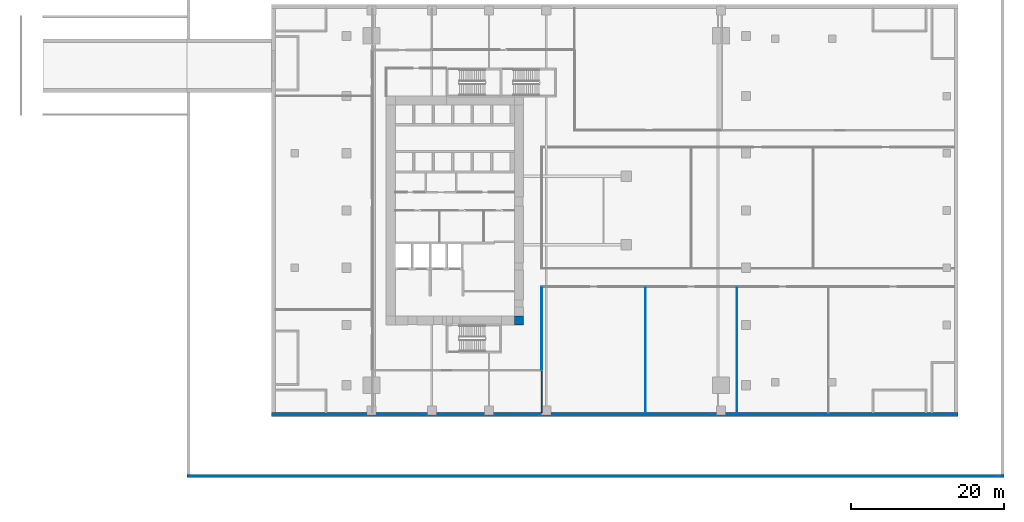
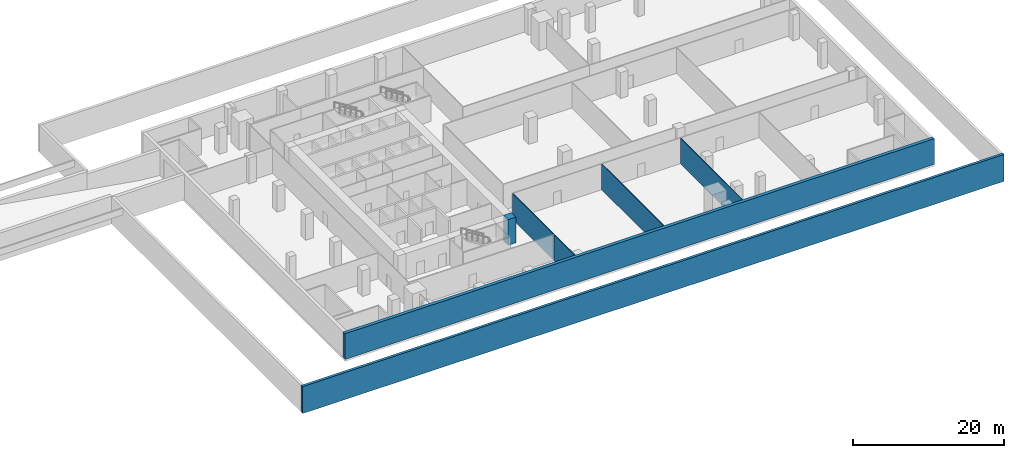
# One storey, part 6 of 11: 7 walls.
"""IFC4 building model written with IfcOpenShell, lengths in metres."""

from ifc_helpers import new_model, si_unit, direction, frame, frame_2d, origin, place, context, subcontext, project, spatial, rectangle, extrude, source, transform, mapped, material, layer, layer_set, type_object, element, save


model = new_model("IFC4")

# Units and contexts
model_context = context("Model", 3, precision=1e-05, world=origin(), true_north=direction((0.0, 1.0)))
body_context = subcontext(model_context, "Body", "Model", "MODEL_VIEW")
ifc_project = project(units=[si_unit("LENGTHUNIT", "METRE"), si_unit("AREAUNIT", "SQUARE_METRE"), si_unit("VOLUMEUNIT", "CUBIC_METRE"), si_unit("PLANEANGLEUNIT", "RADIAN"), si_unit("MASSUNIT", "GRAM", prefix="KILO")], contexts=[model_context])

# Site, building, storey
site_placement = place(None, origin())
site = spatial("IfcSite", under=ifc_project, at=site_placement, CompositionType="ELEMENT")
building_placement = place(site_placement, origin())
building = spatial("IfcBuilding", under=site, at=building_placement, Name="Khomas Fold Tower", CompositionType="ELEMENT")
storey_placement = place(building_placement, frame((0.0, 0.0, -4.5)))
storey = spatial("IfcBuildingStorey", under=building, at=storey_placement, Name="B1", CompositionType="ELEMENT", Elevation=-4.5)

# Walls
ifc_material_1 = material(Name="Concrete C70/85", Category="concrete")
ifc_layer_1 = layer(ifc_material_1, 1.199951171875)
ifc_layer_set_1 = layer_set([ifc_layer_1], Name="Concrete C70/85")
wall_type_1 = type_object("IfcWallType", Name="Core corner wall 1200", PredefinedType="SHEAR", material=ifc_layer_set_1)
shared_shape_1 = source(origin(), body_context, "Body", "SweptSolid", [
    extrude(rectangle(XDim=1.199951171875, YDim=1.199951171875, at=frame_2d((0.60009765625, 0.0))), origin(), (0.0, 0.0, 1.0), 4.14990234375),
])
wall_1_placement = place(storey_placement, frame((22.800048828125, 12.60009765625, 0.0), z_axis=(0.0, 0.0, 1.0), x_axis=(1.0, 0.0, 0.0)))
element("IfcWall", 1, at=wall_1_placement, inside=storey, type_object=wall_type_1, Name="Core wall CW-L-SE-B2", PredefinedType="SHEAR", context=body_context, shape_type="MappedRepresentation", body=[
    mapped(shared_shape_1, transform((0.0, 0.0, 0.0))),
])
ifc_material_2 = material(Name="Concrete C40/50", Category="concrete")
ifc_layer_2 = layer(ifc_material_2, 0.5)
ifc_layer_set_2 = layer_set([ifc_layer_2], Name="Concrete C40/50")
wall_type_2 = type_object("IfcWallType", Name="Basement wall 500", PredefinedType="STANDARD", material=ifc_layer_set_2)
shared_shape_2 = source(origin(), body_context, "Body", "SweptSolid", [
    extrude(rectangle(XDim=90.0, YDim=0.5, at=frame_2d((45.0, 0.0))), origin(), (0.0, 0.0, 1.0), 4.14990234375),
])
wall_2_placement = place(storey_placement, frame((-9.0, 0.25, 0.0), z_axis=(0.0, 0.0, 1.0), x_axis=(1.0, 0.0, 0.0)))
element("IfcWall", 2, at=wall_2_placement, inside=storey, type_object=wall_type_2, Name="Basement wall S", PredefinedType="STANDARD", context=body_context, shape_type="MappedRepresentation", body=[
    mapped(shared_shape_2, transform((0.0, 0.0, 0.0))),
])
ifc_material_3 = material(Name="Concrete C40/50", Category="concrete")
ifc_layer_3 = layer(ifc_material_3, 0.39990234375)
ifc_layer_set_3 = layer_set([ifc_layer_3], Name="Concrete C40/50")
wall_type_3 = type_object("IfcWallType", Name="Plaza retaining wall 400", PredefinedType="SOLIDWALL", material=ifc_layer_set_3)
shared_shape_3 = source(origin(), body_context, "Body", "SweptSolid", [
    extrude(rectangle(XDim=107.09814453125, YDim=0.39990234375, at=frame_2d((53.549072265625, 0.0))), origin(), (0.0, 0.0, 1.0), 4.35009765625),
])
wall_3_placement = place(storey_placement, frame((87.0, -7.800048828125, 0.0), z_axis=(0.0, 0.0, 1.0), x_axis=(-1.0, 0.0, 0.0)))
element("IfcWall", 3, at=wall_3_placement, inside=storey, type_object=wall_type_3, Name="Plaza retaining wall", PredefinedType="SOLIDWALL", context=body_context, shape_type="MappedRepresentation", body=[
    mapped(shared_shape_3, transform((0.0, 0.0, 0.0))),
])
ifc_material_4 = material(Name="Plasterboard fire partition")
ifc_layer_4 = layer(ifc_material_4, 0.14990234375)
ifc_layer_set_4 = layer_set([ifc_layer_4], Name="Plasterboard fire partition")
wall_type_4 = type_object("IfcWallType", Name="Plant room wall PW3 150", PredefinedType="PARTITIONING", material=ifc_layer_set_4)
shared_shape_4 = source(origin(), body_context, "Body", "SweptSolid", [
    extrude(rectangle(XDim=5.449951171875, YDim=0.14990234375, at=frame_2d((2.72509765625, 0.0))), origin(), (0.0, 0.0, 1.0), 4.14990234375),
])
wall_4_placement = place(storey_placement, frame((26.39990234375, 0.5, 0.0), z_axis=(0.0, 0.0, 1.0), x_axis=(0.0, 1.0, 0.0)))
element("IfcWall", 4, at=wall_4_placement, inside=storey, type_object=wall_type_4, Name="Plant room wall", PredefinedType="PARTITIONING", context=body_context, shape_type="MappedRepresentation", body=[
    mapped(shared_shape_4, transform((0.0, 0.0, 0.0))),
])
ifc_material_5 = material(Name="Plasterboard partition")
ifc_layer_5 = layer(ifc_material_5, 0.10009765625)
ifc_layer_set_5 = layer_set([ifc_layer_5], Name="Plasterboard partition")
wall_type_5 = type_object("IfcWallType", Name="Partition PW1 100", PredefinedType="PARTITIONING", material=ifc_layer_set_5)
shared_shape_5 = source(origin(), body_context, "Body", "SweptSolid", [
    extrude(rectangle(XDim=16.39990234375, YDim=0.10009765625, at=frame_2d((8.199951171875, 0.0))), origin(), (0.0, 0.0, 1.0), 4.14990234375),
])
for number, where, z_axis, x_axis, name in (
    (5, (40.0, 0.5, 0.0), (0.0, 0.0, 1.0), (0.0, 1.0, 0.0), "Partition"),
    (6, (52.0, 0.5, 0.0), (0.0, 0.0, 1.0), (0.0, 1.0, 0.0), "Partition"),
):
    element("IfcWall", number, at=place(storey_placement, frame(where, z_axis=z_axis, x_axis=x_axis)), inside=storey, type_object=wall_type_5, Name=name, PredefinedType="PARTITIONING", context=body_context, shape_type="MappedRepresentation", body=[
        mapped(shared_shape_5, transform((0.0, 0.0, 0.0))),
    ])
ifc_material_6 = material(Name="Plasterboard partition")
ifc_layer_6 = layer(ifc_material_6, 0.125)
ifc_layer_set_6 = layer_set([ifc_layer_6], Name="Plasterboard partition")
wall_type_6 = type_object("IfcWallType", Name="Partition PW2 125", PredefinedType="PARTITIONING", material=ifc_layer_set_6)
shared_shape_6 = source(origin(), body_context, "Body", "SweptSolid", [
    extrude(rectangle(XDim=10.75, YDim=0.125, at=frame_2d((5.375, 0.0))), origin(), (0.0, 0.0, 1.0), 4.14990234375),
])
wall_5_placement = place(storey_placement, frame((26.39990234375, 6.14990234375, 0.0), z_axis=(0.0, 0.0, 1.0), x_axis=(0.0, 1.0, 0.0)))
element("IfcWall", 7, at=wall_5_placement, inside=storey, type_object=wall_type_6, Name="Partition", PredefinedType="PARTITIONING", context=body_context, shape_type="MappedRepresentation", body=[
    mapped(shared_shape_6, transform((0.0, 0.0, 0.0))),
])

save(model, "model.ifc")
